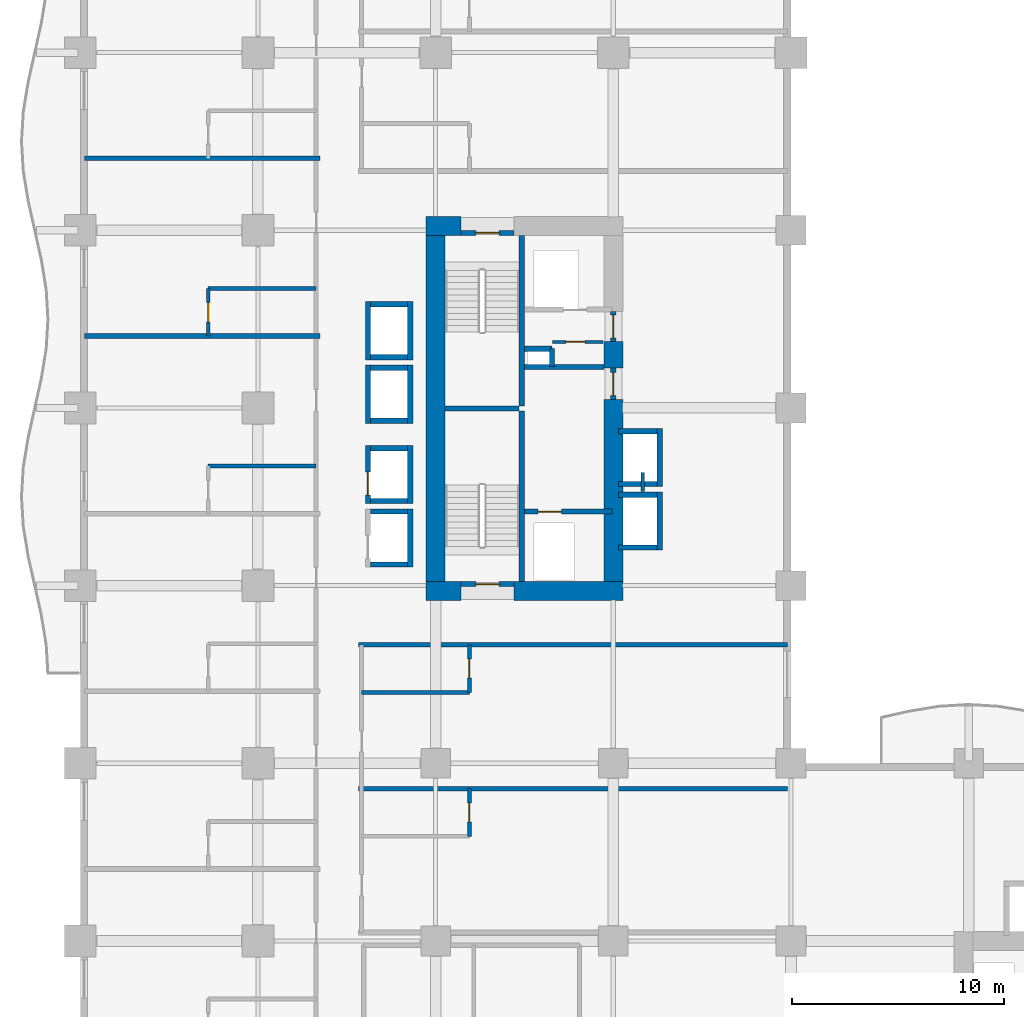
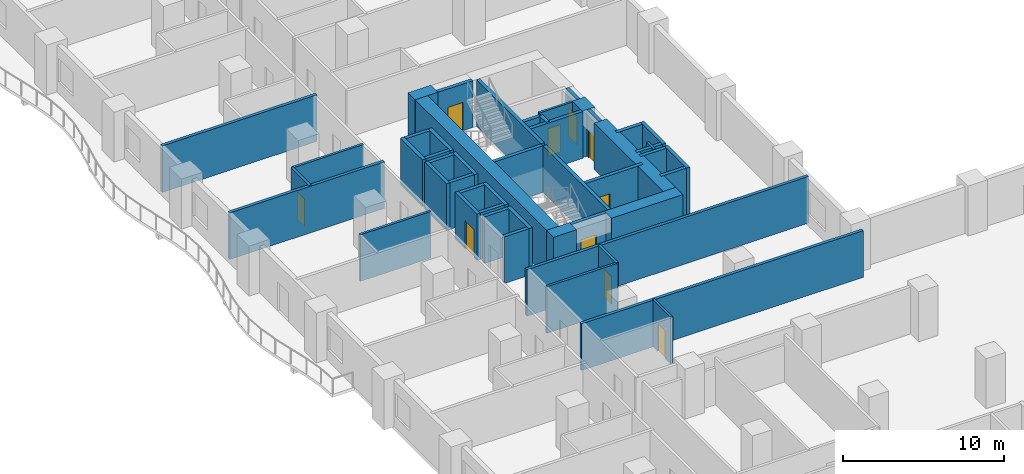
# One storey, part 14 of 23: 50 walls, 10 doors, 10 openings.
"""IFC4 building model written with IfcOpenShell, lengths in metres."""

from ifc_helpers import new_model, si_unit, direction, frame, frame_2d, origin, place, context, subcontext, project, spatial, rectangle, extrude, material, layer, layer_set, type_object, element, fill, save


model = new_model("IFC4")

# Units and contexts
model_context = context("Model", 3, precision=1e-05, world=origin(), true_north=direction((0.0, 1.0)))
body_context = subcontext(model_context, "Body", "Model", "MODEL_VIEW")
ifc_project = project(units=[si_unit("LENGTHUNIT", "METRE"), si_unit("AREAUNIT", "SQUARE_METRE"), si_unit("VOLUMEUNIT", "CUBIC_METRE"), si_unit("PLANEANGLEUNIT", "RADIAN"), si_unit("MASSUNIT", "GRAM", prefix="KILO")], contexts=[model_context])

# Site, building, storey
site_placement = place(None, origin())
site = spatial("IfcSite", under=ifc_project, at=site_placement, CompositionType="ELEMENT")
building_placement = place(site_placement, origin())
building = spatial("IfcBuilding", under=site, at=building_placement, Name="Koriwani Terraces Tower", CompositionType="ELEMENT")
storey_placement = place(building_placement, frame((0.0, 0.0, 32.0)))
storey = spatial("IfcBuildingStorey", under=building, at=storey_placement, Name="L06", CompositionType="ELEMENT", Elevation=32.0)

# Walls
ifc_material_1 = material(Name="Concrete C60/75", Category="concrete")
ifc_layer_1 = layer(ifc_material_1, 0.89990234375, Name="Concrete C60/75")
ifc_layer_set_1 = layer_set([ifc_layer_1], Name="Concrete C60/75")
wall_type_1 = type_object("IfcWallType", Name="WALL_CORE_RC_900", PredefinedType="SHEAR", material=ifc_layer_set_1)
wall_1_placement = place(storey_placement, frame((16.35009765625, 41.75, 0.0), z_axis=(0.0, 0.0, 1.0), x_axis=(1.0, 0.0, 0.0)))
element("IfcWall", 1, at=wall_1_placement, inside=storey, type_object=wall_type_1, Name="L06 West Split Core Shear Wall S1", PredefinedType="SHEAR", context=body_context, shape_type="SweptSolid", body=[
    extrude(rectangle(XDim=1.64990234375, YDim=0.89990234375, at=frame_2d((0.824951171875, 0.0))), origin(), (0.0, 0.0, 1.0), 3.550048828125),
])
wall_2_placement = place(storey_placement, frame((20.5, 41.75, 0.0), z_axis=(0.0, 0.0, 1.0), x_axis=(1.0, 0.0, 0.0)))
element("IfcWall", 2, at=wall_2_placement, inside=storey, type_object=wall_type_1, Name="L06 West Split Core Shear Wall S2", PredefinedType="SHEAR", context=body_context, shape_type="SweptSolid", body=[
    extrude(rectangle(XDim=5.14990234375, YDim=0.89990234375, at=frame_2d((2.574951171875, 0.0))), origin(), (0.0, 0.0, 1.0), 3.550048828125),
])
wall_3_placement = place(storey_placement, frame((16.35009765625, 59.0, 0.0), z_axis=(0.0, 0.0, 1.0), x_axis=(1.0, 0.0, 0.0)))
element("IfcWall", 3, at=wall_3_placement, inside=storey, type_object=wall_type_1, Name="L06 West Split Core Shear Wall N1", PredefinedType="SHEAR", context=body_context, shape_type="SweptSolid", body=[
    extrude(rectangle(XDim=1.64990234375, YDim=0.89990234375, at=frame_2d((0.824951171875, 0.0))), origin(), (0.0, 0.0, 1.0), 3.550048828125),
])
wall_4_placement = place(storey_placement, frame((16.800048828125, 42.199951171875, 0.0), z_axis=(0.0, 0.0, 1.0), x_axis=(0.0, 1.0, 0.0)))
element("IfcWall", 4, at=wall_4_placement, inside=storey, type_object=wall_type_1, Name="L06 West Split Core Shear Wall W1", PredefinedType="SHEAR", context=body_context, shape_type="SweptSolid", body=[
    extrude(rectangle(XDim=16.35009765625, YDim=0.89990234375, at=frame_2d((8.175048828125, 0.0))), origin(), (0.0, 0.0, 1.0), 3.550048828125),
])
wall_5_placement = place(storey_placement, frame((25.199951171875, 42.199951171875, 0.0), z_axis=(0.0, 0.0, 1.0), x_axis=(0.0, 1.0, 0.0)))
element("IfcWall", 5, at=wall_5_placement, inside=storey, type_object=wall_type_1, Name="L06 West Split Core Shear Wall E1", PredefinedType="SHEAR", context=body_context, shape_type="SweptSolid", body=[
    extrude(rectangle(XDim=8.60009765625, YDim=0.89990234375, at=frame_2d((4.300048828125, 0.0))), origin(), (0.0, 0.0, 1.0), 3.550048828125),
])
wall_6_placement = place(storey_placement, frame((25.199951171875, 52.280029296875, 0.0), z_axis=(0.0, 0.0, 1.0), x_axis=(0.0, 1.0, 0.0)))
element("IfcWall", 6, at=wall_6_placement, inside=storey, type_object=wall_type_1, Name="L06 West Split Core Shear Wall E2", PredefinedType="SHEAR", context=body_context, shape_type="SweptSolid", body=[
    extrude(rectangle(XDim=1.27001953125, YDim=0.89990234375, at=frame_2d((0.635009765625, 0.0))), origin(), (0.0, 0.0, 1.0), 3.550048828125),
])
ifc_material_2 = material(Name="Autoclaved Cellular Concrete Blockwork", Category="masonry")
ifc_layer_2 = layer(ifc_material_2, 0.219970703125, Name="Autoclaved Cellular Concrete Blockwork")
ifc_layer_set_2 = layer_set([ifc_layer_2], Name="Autoclaved Cellular Concrete Blockwork")
wall_type_2 = type_object("IfcWallType", Name="WALL_DEMISING_220", PredefinedType="PARTITIONING", material=ifc_layer_set_2)
for number, where, z_axis, x_axis, name in (
    (7, (13.14990234375, 32.39990234375, 0.0), (0.0, 0.0, 1.0), (1.0, 0.0, 0.0), "L06 Interior Wall WDEM-L06-NWI-1"),
    (8, (13.14990234375, 39.199951171875, 0.0), (0.0, 0.0, 1.0), (1.0, 0.0, 0.0), "L06 Interior Wall WDEME-L06-NWI"),
):
    element("IfcWall", number, at=place(storey_placement, frame(where, z_axis=z_axis, x_axis=x_axis)), inside=storey, type_object=wall_type_2, Name=name, PredefinedType="PARTITIONING", context=body_context, shape_type="SweptSolid", body=[
        extrude(rectangle(XDim=20.280029296875, YDim=0.219970703125, at=frame_2d((10.14013671875, 0.0))), origin(), (0.0, 0.0, 1.0), 3.550048828125),
    ])
for number, where, z_axis, x_axis, name in (
    (9, (0.199951171875, 53.800048828125, 0.0), (0.0, 0.0, 1.0), (1.0, 0.0, 0.0), "L06 Interior Wall WDEM-L06-NW-6"),
    (10, (0.199951171875, 62.199951171875, 0.0), (0.0, 0.0, 1.0), (1.0, 0.0, 0.0), "L06 Interior Wall WDEM-L06-NW-7"),
):
    element("IfcWall", number, at=place(storey_placement, frame(where, z_axis=z_axis, x_axis=x_axis)), inside=storey, type_object=wall_type_2, Name=name, PredefinedType="PARTITIONING", context=body_context, shape_type="SweptSolid", body=[
        extrude(rectangle(XDim=11.130126953125, YDim=0.219970703125, at=frame_2d((5.56494140625, 0.0))), origin(), (0.0, 0.0, 1.0), 3.550048828125),
    ])

# Wall, opening, door
ifc_material_3 = material(Name="Fire-Rated Acoustic Gypsum Partition", Category="masonry")
ifc_layer_3 = layer(ifc_material_3, 0.179931640625, Name="Fire-Rated Acoustic Gypsum Partition")
ifc_layer_set_3 = layer_set([ifc_layer_3], Name="Fire-Rated Acoustic Gypsum Partition")
wall_type_3 = type_object("IfcWallType", Name="WALL_PLUMBING_180", PredefinedType="PLUMBINGWALL", material=ifc_layer_set_3)
wall_7_placement = place(storey_placement, frame((18.39990234375, 30.14990234375, 0.0), z_axis=(0.0, 0.0, 1.0), x_axis=(0.0, 1.0, 0.0)))
wall_7 = element("IfcWall", 11, at=wall_7_placement, inside=storey, type_object=wall_type_3, Name="L06 Interior Wall WBTH1-L06-NWI-0", PredefinedType="PLUMBINGWALL", context=body_context, shape_type="SweptSolid", body=[
    extrude(rectangle(XDim=2.25, YDim=0.179931640625, at=frame_2d((1.125, 0.0))), origin(), (0.0, 0.0, 1.0), 3.550048828125),
])
opening_1_placement = place(wall_7_placement, frame((0.675048828125, 0.0, 0.0)))
opening_1 = element("IfcOpeningElement", 12, at=opening_1_placement, cuts=wall_7, Name="Opening D-07", PredefinedType="OPENING", context=body_context, shape_type="SweptSolid", body=[
    extrude(rectangle(XDim=0.89990234375, YDim=2.10009765625, at=frame_2d((0.449951171875, 1.050048828125))), frame((0.0, 0.10009765625, 0.0), z_axis=(0.0, -1.0, 0.0), x_axis=(1.0, 0.0, 0.0)), (0.0, 0.0, 1.0), 0.199951171875),
])
ifc_material_4 = material(Name="Architectural Oak Fire Door", Category="wood")
door_type_1 = type_object("IfcDoorType", Name="DOOR_BATH_INT_900X2100", OperationType="NOTDEFINED", PredefinedType="DOOR", material=ifc_material_4)
door_1_placement = place(opening_1_placement, origin())
door_1 = element("IfcDoor", 13, at=door_1_placement, inside=storey, type_object=door_type_1, Name="En-Suite Bathroom 06NWI1 Door", OperationType="SINGLE_SWING_LEFT", OverallHeight=2.10009765625, OverallWidth=0.89990234375, PredefinedType="DOOR", context=body_context, shape_type="SweptSolid", body=[
    extrude(rectangle(XDim=0.89990234375, YDim=2.10009765625, at=frame_2d((0.449951171875, 1.050048828125))), frame((0.0, 0.02490234375, 0.0), z_axis=(0.0, -1.0, 0.0), x_axis=(1.0, 0.0, 0.0)), (0.0, 0.0, 1.0), 0.050048828125),
])
fill(opening_1, door_1)

wall_8_placement = place(storey_placement, frame((18.39990234375, 36.949951171875, 0.0), z_axis=(0.0, 0.0, 1.0), x_axis=(0.0, 1.0, 0.0)))
wall_8 = element("IfcWall", 14, at=wall_8_placement, inside=storey, type_object=wall_type_3, Name="L06 Interior Wall WBTH1-L06-NWI-1", PredefinedType="PLUMBINGWALL", context=body_context, shape_type="SweptSolid", body=[
    extrude(rectangle(XDim=2.25, YDim=0.179931640625, at=frame_2d((1.125, 0.0))), origin(), (0.0, 0.0, 1.0), 3.550048828125),
])
opening_2_placement = place(wall_8_placement, frame((0.675048828125, 0.0, 0.0)))
opening_2 = element("IfcOpeningElement", 15, at=opening_2_placement, cuts=wall_8, Name="Opening D-07", PredefinedType="OPENING", context=body_context, shape_type="SweptSolid", body=[
    extrude(rectangle(XDim=0.89990234375, YDim=2.10009765625, at=frame_2d((0.449951171875, 1.050048828125))), frame((0.0, 0.10009765625, 0.0), z_axis=(0.0, -1.0, 0.0), x_axis=(1.0, 0.0, 0.0)), (0.0, 0.0, 1.0), 0.199951171875),
])
door_2_placement = place(opening_2_placement, origin())
door_2 = element("IfcDoor", 16, at=door_2_placement, inside=storey, type_object=door_type_1, Name="En-Suite Bathroom 06NWI2 Door", OperationType="SINGLE_SWING_LEFT", OverallHeight=2.10009765625, OverallWidth=0.89990234375, PredefinedType="DOOR", context=body_context, shape_type="SweptSolid", body=[
    extrude(rectangle(XDim=0.89990234375, YDim=2.10009765625, at=frame_2d((0.449951171875, 1.050048828125))), frame((0.0, 0.02490234375, 0.0), z_axis=(0.0, -1.0, 0.0), x_axis=(1.0, 0.0, 0.0)), (0.0, 0.0, 1.0), 0.050048828125),
])
fill(opening_2, door_2)

# Walls
for number, where, z_axis, x_axis, name in (
    (17, (13.300048828125, 36.949951171875, 0.0), (0.0, 0.0, 1.0), (1.0, 0.0, 0.0), "L06 Interior Wall WBTH2-L06-NWI-1"),
    (18, (6.050048828125, 47.64990234375, 0.0), (0.0, 0.0, 1.0), (1.0, 0.0, 0.0), "L06 Interior Wall WBTH2-L06-NW-5"),
):
    element("IfcWall", number, at=place(storey_placement, frame(where, z_axis=z_axis, x_axis=x_axis)), inside=storey, type_object=wall_type_3, Name=name, PredefinedType="PLUMBINGWALL", context=body_context, shape_type="SweptSolid", body=[
        extrude(rectangle(XDim=5.099853515625, YDim=0.179931640625, at=frame_2d((2.5498046875, 0.0))), origin(), (0.0, 0.0, 1.0), 3.550048828125),
    ])

# Wall, opening, door
wall_9_placement = place(storey_placement, frame((6.050048828125, 53.800048828125, 0.0), z_axis=(0.0, 0.0, 1.0), x_axis=(0.0, 1.0, 0.0)))
wall_9 = element("IfcWall", 19, at=wall_9_placement, inside=storey, type_object=wall_type_3, Name="L06 Interior Wall WBTH1-L06-NW-6", PredefinedType="PLUMBINGWALL", context=body_context, shape_type="SweptSolid", body=[
    extrude(rectangle(XDim=2.25, YDim=0.179931640625, at=frame_2d((1.125, 0.0))), origin(), (0.0, 0.0, 1.0), 3.550048828125),
])
opening_3_placement = place(wall_9_placement, frame((0.675048828125, 0.0, 0.0)))
opening_3 = element("IfcOpeningElement", 20, at=opening_3_placement, cuts=wall_9, Name="Opening D-07", PredefinedType="OPENING", context=body_context, shape_type="SweptSolid", body=[
    extrude(rectangle(XDim=0.89990234375, YDim=2.10009765625, at=frame_2d((0.449951171875, 1.050048828125))), frame((0.0, 0.10009765625, 0.0), z_axis=(0.0, -1.0, 0.0), x_axis=(1.0, 0.0, 0.0)), (0.0, 0.0, 1.0), 0.199951171875),
])
door_3_placement = place(opening_3_placement, origin())
door_3 = element("IfcDoor", 21, at=door_3_placement, inside=storey, type_object=door_type_1, Name="En-Suite Bathroom 06NW7 Door", OperationType="SINGLE_SWING_LEFT", OverallHeight=2.10009765625, OverallWidth=0.89990234375, PredefinedType="DOOR", context=body_context, shape_type="SweptSolid", body=[
    extrude(rectangle(XDim=0.89990234375, YDim=2.10009765625, at=frame_2d((0.449951171875, 1.050048828125))), frame((0.0, 0.02490234375, 0.0), z_axis=(0.0, -1.0, 0.0), x_axis=(1.0, 0.0, 0.0)), (0.0, 0.0, 1.0), 0.050048828125),
])
fill(opening_3, door_3)

# Walls
wall_10_placement = place(storey_placement, frame((6.050048828125, 56.050048828125, 0.0), z_axis=(0.0, 0.0, 1.0), x_axis=(1.0, 0.0, 0.0)))
element("IfcWall", 22, at=wall_10_placement, inside=storey, type_object=wall_type_3, Name="L06 Interior Wall WBTH2-L06-NW-6", PredefinedType="PLUMBINGWALL", context=body_context, shape_type="SweptSolid", body=[
    extrude(rectangle(XDim=5.099853515625, YDim=0.179931640625, at=frame_2d((2.5498046875, 0.0))), origin(), (0.0, 0.0, 1.0), 3.550048828125),
])
ifc_material_5 = material(Name="Concrete C40/50", Category="concrete")
ifc_layer_4 = layer(ifc_material_5, 0.25, Name="Concrete C40/50")
ifc_layer_set_4 = layer_set([ifc_layer_4], Name="Concrete C40/50")
wall_type_4 = type_object("IfcWallType", Name="WALL_SHAFT_RATED_250", PredefinedType="SOLIDWALL", material=ifc_layer_set_4)
for number, where, z_axis, x_axis, name in (
    (23, (20.875, 42.199951171875, 0.0), (0.0, 0.0, 1.0), (0.0, 1.0, 0.0), "L06 West Split Core Web Wall MID1"),
    (24, (20.875, 50.5, 0.0), (0.0, 0.0, 1.0), (0.0, 1.0, 0.0), "L06 West Split Core Web Wall MID2"),
):
    element("IfcWall", number, at=place(storey_placement, frame(where, z_axis=z_axis, x_axis=x_axis)), inside=storey, type_object=wall_type_4, Name=name, PredefinedType="SOLIDWALL", context=body_context, shape_type="SweptSolid", body=[
        extrude(rectangle(XDim=8.050048828125, YDim=0.25, at=frame_2d((4.02490234375, 0.0))), origin(), (0.0, 0.0, 1.0), 3.550048828125),
    ])
wall_11_placement = place(storey_placement, frame((17.25, 50.375, 0.0), z_axis=(0.0, 0.0, 1.0), x_axis=(1.0, 0.0, 0.0)))
element("IfcWall", 25, at=wall_11_placement, inside=storey, type_object=wall_type_4, Name="L06 West Split Core Stair Dividing Wall", PredefinedType="SOLIDWALL", context=body_context, shape_type="SweptSolid", body=[
    extrude(rectangle(XDim=3.5, YDim=0.25, at=frame_2d((1.75, 0.0))), origin(), (0.0, 0.0, 1.0), 3.550048828125),
])

# Wall, opening, door
wall_12_placement = place(storey_placement, frame((18.0, 42.074951171875, 0.0), z_axis=(0.0, 0.0, 1.0), x_axis=(1.0, 0.0, 0.0)))
wall_12 = element("IfcWall", 26, at=wall_12_placement, inside=storey, type_object=wall_type_4, Name="L06 Interior Wall WIN-CW-L06-STS", PredefinedType="SOLIDWALL", context=body_context, shape_type="SweptSolid", body=[
    extrude(rectangle(XDim=2.5, YDim=0.25, at=frame_2d((1.25, 0.0))), origin(), (0.0, 0.0, 1.0), 3.550048828125),
])
opening_4_placement = place(wall_12_placement, frame((0.699951171875, 0.0, 0.0)))
opening_4 = element("IfcOpeningElement", 27, at=opening_4_placement, cuts=wall_12, Name="Opening D-03", PredefinedType="OPENING", context=body_context, shape_type="SweptSolid", body=[
    extrude(rectangle(XDim=1.10009765625, YDim=2.14990234375, at=frame_2d((0.550048828125, 1.074951171875))), frame((0.0, 0.135009765625, 0.0), z_axis=(0.0, -1.0, 0.0), x_axis=(1.0, 0.0, 0.0)), (0.0, 0.0, 1.0), 0.27001953125),
])
ifc_material_6 = material(Name="Steel ASTM A572 Grade 50", Category="steel")
door_type_2 = type_object("IfcDoorType", Name="DOOR_STAIR_FIRE_1100X2150", OperationType="NOTDEFINED", PredefinedType="DOOR", material=ifc_material_6)
door_4_placement = place(opening_4_placement, origin())
door_4 = element("IfcDoor", 28, at=door_4_placement, inside=storey, type_object=door_type_2, Name="L06 Exit Stair ST-W1 Door", OperationType="SINGLE_SWING_RIGHT", OverallHeight=2.14990234375, OverallWidth=1.10009765625, PredefinedType="DOOR", context=body_context, shape_type="SweptSolid", body=[
    extrude(rectangle(XDim=1.10009765625, YDim=2.14990234375, at=frame_2d((0.550048828125, 1.074951171875))), frame((0.0, 0.02490234375, 0.0), z_axis=(0.0, -1.0, 0.0), x_axis=(1.0, 0.0, 0.0)), (0.0, 0.0, 1.0), 0.050048828125),
])
fill(opening_4, door_4)

wall_13_placement = place(storey_placement, frame((18.0, 58.675048828125, 0.0), z_axis=(0.0, 0.0, 1.0), x_axis=(1.0, 0.0, 0.0)))
wall_13 = element("IfcWall", 29, at=wall_13_placement, inside=storey, type_object=wall_type_4, Name="L06 Interior Wall WIN-CW-L06-STN", PredefinedType="SOLIDWALL", context=body_context, shape_type="SweptSolid", body=[
    extrude(rectangle(XDim=2.5, YDim=0.25, at=frame_2d((1.25, 0.0))), origin(), (0.0, 0.0, 1.0), 3.550048828125),
])
opening_5_placement = place(wall_13_placement, frame((0.699951171875, 0.0, 0.0)))
opening_5 = element("IfcOpeningElement", 30, at=opening_5_placement, cuts=wall_13, Name="Opening D-03", PredefinedType="OPENING", context=body_context, shape_type="SweptSolid", body=[
    extrude(rectangle(XDim=1.10009765625, YDim=2.14990234375, at=frame_2d((0.550048828125, 1.074951171875))), frame((0.0, 0.135009765625, 0.0), z_axis=(0.0, -1.0, 0.0), x_axis=(1.0, 0.0, 0.0)), (0.0, 0.0, 1.0), 0.27001953125),
])
door_5_placement = place(opening_5_placement, origin())
door_5 = element("IfcDoor", 31, at=door_5_placement, inside=storey, type_object=door_type_2, Name="L06 Exit Stair ST-W2 Door", OperationType="SINGLE_SWING_LEFT", OverallHeight=2.14990234375, OverallWidth=1.10009765625, PredefinedType="DOOR", context=body_context, shape_type="SweptSolid", body=[
    extrude(rectangle(XDim=1.10009765625, YDim=2.14990234375, at=frame_2d((0.550048828125, 1.074951171875))), frame((0.0, 0.02490234375, 0.0), z_axis=(0.0, -1.0, 0.0), x_axis=(1.0, 0.0, 0.0)), (0.0, 0.0, 1.0), 0.050048828125),
])
fill(opening_5, door_5)

wall_14_placement = place(storey_placement, frame((21.0, 45.5, 0.0), z_axis=(0.0, 0.0, 1.0), x_axis=(1.0, 0.0, 0.0)))
wall_14 = element("IfcWall", 32, at=wall_14_placement, inside=storey, type_object=wall_type_4, Name="L06 Interior Wall WIN-CW-L06-FE", PredefinedType="SOLIDWALL", context=body_context, shape_type="SweptSolid", body=[
    extrude(rectangle(XDim=4.14990234375, YDim=0.25, at=frame_2d((2.074951171875, 0.0))), origin(), (0.0, 0.0, 1.0), 3.550048828125),
])
opening_6_placement = place(wall_14_placement, frame((0.64990234375, 0.0, 0.0)))
opening_6 = element("IfcOpeningElement", 33, at=opening_6_placement, cuts=wall_14, Name="Opening LD-01", PredefinedType="OPENING", context=body_context, shape_type="SweptSolid", body=[
    extrude(rectangle(XDim=1.10009765625, YDim=2.14990234375, at=frame_2d((0.550048828125, 1.074951171875))), frame((0.0, 0.135009765625, 0.0), z_axis=(0.0, -1.0, 0.0), x_axis=(1.0, 0.0, 0.0)), (0.0, 0.0, 1.0), 0.27001953125),
])
door_type_3 = type_object("IfcDoorType", Name="DOOR_LIFT_LANDING_1100X2200", OperationType="NOTDEFINED", PredefinedType="DOOR", material=ifc_material_6)
door_6_placement = place(opening_6_placement, origin())
door_6 = element("IfcDoor", 34, at=door_6_placement, inside=storey, type_object=door_type_3, Name="L06 Firefighting Lift FE-01 Landing Door", OperationType="SLIDING_TO_LEFT", OverallHeight=2.14990234375, OverallWidth=1.10009765625, PredefinedType="DOOR", context=body_context, shape_type="SweptSolid", body=[
    extrude(rectangle(XDim=1.10009765625, YDim=2.14990234375, at=frame_2d((0.550048828125, 1.074951171875))), frame((0.0, 0.02490234375, 0.0), z_axis=(0.0, -1.0, 0.0), x_axis=(1.0, 0.0, 0.0)), (0.0, 0.0, 1.0), 0.050048828125),
])
fill(opening_6, door_6)

wall_15_placement = place(storey_placement, frame((25.199951171875, 50.800048828125, 0.0), z_axis=(0.0, 0.0, 1.0), x_axis=(0.0, 1.0, 0.0)))
wall_15 = element("IfcWall", 35, at=wall_15_placement, inside=storey, type_object=wall_type_4, Name="L06 Interior Wall WIN-CW-L06-EP", PredefinedType="SOLIDWALL", context=body_context, shape_type="SweptSolid", body=[
    extrude(rectangle(XDim=1.47998046875, YDim=0.25, at=frame_2d((0.739990234375, 0.0))), origin(), (0.0, 0.0, 1.0), 3.550048828125),
])
opening_7_placement = place(wall_15_placement, frame((0.179931640625, 0.0, 0.0)))
opening_7 = element("IfcOpeningElement", 36, at=opening_7_placement, cuts=wall_15, Name="Opening D-03", PredefinedType="OPENING", context=body_context, shape_type="SweptSolid", body=[
    extrude(rectangle(XDim=1.10009765625, YDim=2.14990234375, at=frame_2d((0.550048828125, 1.074951171875))), frame((0.0, 0.135009765625, 0.0), z_axis=(0.0, -1.0, 0.0), x_axis=(1.0, 0.0, 0.0)), (0.0, 0.0, 1.0), 0.27001953125),
])
door_7_placement = place(opening_7_placement, origin())
door_7 = element("IfcDoor", 37, at=door_7_placement, inside=storey, type_object=door_type_2, Name="L06 West Firefighting Lobby Door", OperationType="SINGLE_SWING_RIGHT", OverallHeight=2.14990234375, OverallWidth=1.10009765625, PredefinedType="DOOR", context=body_context, shape_type="SweptSolid", body=[
    extrude(rectangle(XDim=1.10009765625, YDim=2.14990234375, at=frame_2d((0.550048828125, 1.074951171875))), frame((0.0, 0.02490234375, 0.0), z_axis=(0.0, -1.0, 0.0), x_axis=(1.0, 0.0, 0.0)), (0.0, 0.0, 1.0), 0.050048828125),
])
fill(opening_7, door_7)

# Wall
wall_16_placement = place(storey_placement, frame((21.0, 52.340087890625, 0.0), z_axis=(0.0, 0.0, 1.0), x_axis=(1.0, 0.0, 0.0)))
element("IfcWall", 38, at=wall_16_placement, inside=storey, type_object=wall_type_4, Name="L06 Interior Wall WIN-CW-L06-FFN", PredefinedType="SOLIDWALL", context=body_context, shape_type="SweptSolid", body=[
    extrude(rectangle(XDim=3.75, YDim=0.25, at=frame_2d((1.875, 0.0))), origin(), (0.0, 0.0, 1.0), 3.550048828125),
])

# Wall, opening, door
wall_17_placement = place(storey_placement, frame((25.199951171875, 53.550048828125, 0.0), z_axis=(0.0, 0.0, 1.0), x_axis=(0.0, 1.0, 0.0)))
wall_17 = element("IfcWall", 39, at=wall_17_placement, inside=storey, type_object=wall_type_4, Name="L06 Interior Wall WIN-CW-L06-EP2", PredefinedType="SOLIDWALL", context=body_context, shape_type="SweptSolid", body=[
    extrude(rectangle(XDim=1.39990234375, YDim=0.25, at=frame_2d((0.699951171875, 0.0))), origin(), (0.0, 0.0, 1.0), 3.550048828125),
])
opening_8_placement = place(wall_17_placement, frame((0.14990234375, 0.0, 0.0)))
opening_8 = element("IfcOpeningElement", 40, at=opening_8_placement, cuts=wall_17, Name="Opening D-03", PredefinedType="OPENING", context=body_context, shape_type="SweptSolid", body=[
    extrude(rectangle(XDim=1.10009765625, YDim=2.14990234375, at=frame_2d((0.550048828125, 1.074951171875))), frame((0.0, 0.135009765625, 0.0), z_axis=(0.0, -1.0, 0.0), x_axis=(1.0, 0.0, 0.0)), (0.0, 0.0, 1.0), 0.27001953125),
])
door_8_placement = place(opening_8_placement, origin())
door_8 = element("IfcDoor", 41, at=door_8_placement, inside=storey, type_object=door_type_2, Name="L06 West Goods Lift Lobby Door", OperationType="SINGLE_SWING_LEFT", OverallHeight=2.14990234375, OverallWidth=1.10009765625, PredefinedType="DOOR", context=body_context, shape_type="SweptSolid", body=[
    extrude(rectangle(XDim=1.10009765625, YDim=2.14990234375, at=frame_2d((0.550048828125, 1.074951171875))), frame((0.0, 0.02490234375, 0.0), z_axis=(0.0, -1.0, 0.0), x_axis=(1.0, 0.0, 0.0)), (0.0, 0.0, 1.0), 0.050048828125),
])
fill(opening_8, door_8)

# Walls
wall_18_placement = place(storey_placement, frame((21.0, 53.199951171875, 0.0), z_axis=(0.0, 0.0, 1.0), x_axis=(1.0, 0.0, 0.0)))
element("IfcWall", 42, at=wall_18_placement, inside=storey, type_object=wall_type_4, Name="L06 Interior Wall WIN-CW-L06-RS1", PredefinedType="SOLIDWALL", context=body_context, shape_type="SweptSolid", body=[
    extrude(rectangle(XDim=1.300048828125, YDim=0.25, at=frame_2d((0.64990234375, 0.0))), origin(), (0.0, 0.0, 1.0), 3.550048828125),
])
wall_19_placement = place(storey_placement, frame((22.300048828125, 52.360107421875, 0.0), z_axis=(0.0, 0.0, 1.0), x_axis=(0.0, 1.0, 0.0)))
element("IfcWall", 43, at=wall_19_placement, inside=storey, type_object=wall_type_4, Name="L06 Interior Wall WIN-CW-L06-RS2", PredefinedType="SOLIDWALL", context=body_context, shape_type="SweptSolid", body=[
    extrude(rectangle(XDim=0.83984375, YDim=0.25, at=frame_2d((0.419921875, 0.0))), origin(), (0.0, 0.0, 1.0), 3.550048828125),
])
wall_20_placement = place(storey_placement, frame((15.60009765625, 42.875, 0.0), z_axis=(0.0, 0.0, 1.0), x_axis=(0.0, 1.0, 0.0)))
element("IfcWall", 44, at=wall_20_placement, inside=storey, type_object=wall_type_4, Name="L06 Interior Wall WIN-LF-PE-L1-L06-B", PredefinedType="SOLIDWALL", context=body_context, shape_type="SweptSolid", body=[
    extrude(rectangle(XDim=2.75, YDim=0.25, at=frame_2d((1.375, 0.0))), origin(), (0.0, 0.0, 1.0), 3.550048828125),
])
for number, where, z_axis, x_axis, name in (
    (45, (13.72509765625, 43.0, 0.0), (0.0, 0.0, 1.0), (1.0, 0.0, 0.0), "L06 Interior Wall WIN-LF-PE-L1-L06-S"),
    (46, (13.72509765625, 45.5, 0.0), (0.0, 0.0, 1.0), (1.0, 0.0, 0.0), "L06 Interior Wall WIN-LF-PE-L1-L06-N"),
):
    element("IfcWall", number, at=place(storey_placement, frame(where, z_axis=z_axis, x_axis=x_axis)), inside=storey, type_object=wall_type_4, Name=name, PredefinedType="SOLIDWALL", context=body_context, shape_type="SweptSolid", body=[
        extrude(rectangle(XDim=1.75, YDim=0.25, at=frame_2d((0.875, 0.0))), origin(), (0.0, 0.0, 1.0), 3.550048828125),
    ])

# Wall, opening, door
wall_21_placement = place(storey_placement, frame((13.60009765625, 45.875, 0.0), z_axis=(0.0, 0.0, 1.0), x_axis=(0.0, 1.0, 0.0)))
wall_21 = element("IfcWall", 47, at=wall_21_placement, inside=storey, type_object=wall_type_4, Name="L06 Interior Wall WIN-LF-PE-L2-L06-F", PredefinedType="SOLIDWALL", context=body_context, shape_type="SweptSolid", body=[
    extrude(rectangle(XDim=2.75, YDim=0.25, at=frame_2d((1.375, 0.0))), origin(), (0.0, 0.0, 1.0), 3.550048828125),
])
opening_9_placement = place(wall_21_placement, frame((0.39990234375, 0.0, 0.0)))
opening_9 = element("IfcOpeningElement", 48, at=opening_9_placement, cuts=wall_21, Name="Opening LD-01", PredefinedType="OPENING", context=body_context, shape_type="SweptSolid", body=[
    extrude(rectangle(XDim=1.10009765625, YDim=2.14990234375, at=frame_2d((0.550048828125, 1.074951171875))), frame((0.0, 0.135009765625, 0.0), z_axis=(0.0, -1.0, 0.0), x_axis=(1.0, 0.0, 0.0)), (0.0, 0.0, 1.0), 0.27001953125),
])
door_9_placement = place(opening_9_placement, origin())
door_9 = element("IfcDoor", 49, at=door_9_placement, inside=storey, type_object=door_type_3, Name="L06 Passenger Lift PE-L2 Landing Door", OperationType="SLIDING_TO_LEFT", OverallHeight=2.14990234375, OverallWidth=1.10009765625, PredefinedType="DOOR", context=body_context, shape_type="SweptSolid", body=[
    extrude(rectangle(XDim=1.10009765625, YDim=2.14990234375, at=frame_2d((0.550048828125, 1.074951171875))), frame((0.0, 0.02490234375, 0.0), z_axis=(0.0, -1.0, 0.0), x_axis=(1.0, 0.0, 0.0)), (0.0, 0.0, 1.0), 0.050048828125),
])
fill(opening_9, door_9)

# Walls
wall_22_placement = place(storey_placement, frame((15.60009765625, 45.875, 0.0), z_axis=(0.0, 0.0, 1.0), x_axis=(0.0, 1.0, 0.0)))
element("IfcWall", 50, at=wall_22_placement, inside=storey, type_object=wall_type_4, Name="L06 Interior Wall WIN-LF-PE-L2-L06-B", PredefinedType="SOLIDWALL", context=body_context, shape_type="SweptSolid", body=[
    extrude(rectangle(XDim=2.75, YDim=0.25, at=frame_2d((1.375, 0.0))), origin(), (0.0, 0.0, 1.0), 3.550048828125),
])
for number, where, z_axis, x_axis, name in (
    (51, (13.72509765625, 46.0, 0.0), (0.0, 0.0, 1.0), (1.0, 0.0, 0.0), "L06 Interior Wall WIN-LF-PE-L2-L06-S"),
    (52, (13.72509765625, 48.5, 0.0), (0.0, 0.0, 1.0), (1.0, 0.0, 0.0), "L06 Interior Wall WIN-LF-PE-L2-L06-N"),
):
    element("IfcWall", number, at=place(storey_placement, frame(where, z_axis=z_axis, x_axis=x_axis)), inside=storey, type_object=wall_type_4, Name=name, PredefinedType="SOLIDWALL", context=body_context, shape_type="SweptSolid", body=[
        extrude(rectangle(XDim=1.75, YDim=0.25, at=frame_2d((0.875, 0.0))), origin(), (0.0, 0.0, 1.0), 3.550048828125),
    ])
for number, where, z_axis, x_axis, name in (
    (53, (13.60009765625, 49.675048828125, 0.0), (0.0, 0.0, 1.0), (0.0, 1.0, 0.0), "L06 Interior Wall WIN-LF-PE-M1-L06-F"),
    (54, (15.60009765625, 49.675048828125, 0.0), (0.0, 0.0, 1.0), (0.0, 1.0, 0.0), "L06 Interior Wall WIN-LF-PE-M1-L06-B"),
):
    element("IfcWall", number, at=place(storey_placement, frame(where, z_axis=z_axis, x_axis=x_axis)), inside=storey, type_object=wall_type_4, Name=name, PredefinedType="SOLIDWALL", context=body_context, shape_type="SweptSolid", body=[
        extrude(rectangle(XDim=2.75, YDim=0.25, at=frame_2d((1.375, 0.0))), origin(), (0.0, 0.0, 1.0), 3.550048828125),
    ])
for number, where, z_axis, x_axis, name in (
    (55, (13.72509765625, 49.800048828125, 0.0), (0.0, 0.0, 1.0), (1.0, 0.0, 0.0), "L06 Interior Wall WIN-LF-PE-M1-L06-S"),
    (56, (13.72509765625, 52.300048828125, 0.0), (0.0, 0.0, 1.0), (1.0, 0.0, 0.0), "L06 Interior Wall WIN-LF-PE-M1-L06-N"),
):
    element("IfcWall", number, at=place(storey_placement, frame(where, z_axis=z_axis, x_axis=x_axis)), inside=storey, type_object=wall_type_4, Name=name, PredefinedType="SOLIDWALL", context=body_context, shape_type="SweptSolid", body=[
        extrude(rectangle(XDim=1.75, YDim=0.25, at=frame_2d((0.875, 0.0))), origin(), (0.0, 0.0, 1.0), 3.550048828125),
    ])
for number, where, z_axis, x_axis, name in (
    (57, (13.60009765625, 52.675048828125, 0.0), (0.0, 0.0, 1.0), (0.0, 1.0, 0.0), "L06 Interior Wall WIN-LF-PE-M2-L06-F"),
    (58, (15.60009765625, 52.675048828125, 0.0), (0.0, 0.0, 1.0), (0.0, 1.0, 0.0), "L06 Interior Wall WIN-LF-PE-M2-L06-B"),
):
    element("IfcWall", number, at=place(storey_placement, frame(where, z_axis=z_axis, x_axis=x_axis)), inside=storey, type_object=wall_type_4, Name=name, PredefinedType="SOLIDWALL", context=body_context, shape_type="SweptSolid", body=[
        extrude(rectangle(XDim=2.75, YDim=0.25, at=frame_2d((1.375, 0.0))), origin(), (0.0, 0.0, 1.0), 3.550048828125),
    ])
for number, where, z_axis, x_axis, name in (
    (59, (13.72509765625, 52.800048828125, 0.0), (0.0, 0.0, 1.0), (1.0, 0.0, 0.0), "L06 Interior Wall WIN-LF-PE-M2-L06-S"),
    (60, (13.72509765625, 55.300048828125, 0.0), (0.0, 0.0, 1.0), (1.0, 0.0, 0.0), "L06 Interior Wall WIN-LF-PE-M2-L06-N"),
):
    element("IfcWall", number, at=place(storey_placement, frame(where, z_axis=z_axis, x_axis=x_axis)), inside=storey, type_object=wall_type_4, Name=name, PredefinedType="SOLIDWALL", context=body_context, shape_type="SweptSolid", body=[
        extrude(rectangle(XDim=1.75, YDim=0.25, at=frame_2d((0.875, 0.0))), origin(), (0.0, 0.0, 1.0), 3.550048828125),
    ])
wall_23_placement = place(storey_placement, frame((27.39990234375, 43.675048828125, 0.0), z_axis=(0.0, 0.0, 1.0), x_axis=(0.0, 1.0, 0.0)))
element("IfcWall", 61, at=wall_23_placement, inside=storey, type_object=wall_type_4, Name="L06 Interior Wall WIN-LF-PE-H1-L06-F", PredefinedType="SOLIDWALL", context=body_context, shape_type="SweptSolid", body=[
    extrude(rectangle(XDim=2.75, YDim=0.25, at=frame_2d((1.375, 0.0))), origin(), (0.0, 0.0, 1.0), 3.550048828125),
])
for number, where, z_axis, x_axis, name in (
    (62, (25.449951171875, 43.800048828125, 0.0), (0.0, 0.0, 1.0), (1.0, 0.0, 0.0), "L06 Interior Wall WIN-LF-PE-H1-L06-S"),
    (63, (25.449951171875, 46.300048828125, 0.0), (0.0, 0.0, 1.0), (1.0, 0.0, 0.0), "L06 Interior Wall WIN-LF-PE-H1-L06-N"),
):
    element("IfcWall", number, at=place(storey_placement, frame(where, z_axis=z_axis, x_axis=x_axis)), inside=storey, type_object=wall_type_4, Name=name, PredefinedType="SOLIDWALL", context=body_context, shape_type="SweptSolid", body=[
        extrude(rectangle(XDim=1.824951171875, YDim=0.25, at=frame_2d((0.91259765625, 0.0))), origin(), (0.0, 0.0, 1.0), 3.550048828125),
    ])
wall_24_placement = place(storey_placement, frame((27.39990234375, 46.675048828125, 0.0), z_axis=(0.0, 0.0, 1.0), x_axis=(0.0, 1.0, 0.0)))
element("IfcWall", 64, at=wall_24_placement, inside=storey, type_object=wall_type_4, Name="L06 Interior Wall WIN-LF-PE-H2-L06-F", PredefinedType="SOLIDWALL", context=body_context, shape_type="SweptSolid", body=[
    extrude(rectangle(XDim=2.75, YDim=0.25, at=frame_2d((1.375, 0.0))), origin(), (0.0, 0.0, 1.0), 3.550048828125),
])
for number, where, z_axis, x_axis, name in (
    (65, (25.449951171875, 46.800048828125, 0.0), (0.0, 0.0, 1.0), (1.0, 0.0, 0.0), "L06 Interior Wall WIN-LF-PE-H2-L06-S"),
    (66, (25.449951171875, 49.300048828125, 0.0), (0.0, 0.0, 1.0), (1.0, 0.0, 0.0), "L06 Interior Wall WIN-LF-PE-H2-L06-N"),
):
    element("IfcWall", number, at=place(storey_placement, frame(where, z_axis=z_axis, x_axis=x_axis)), inside=storey, type_object=wall_type_4, Name=name, PredefinedType="SOLIDWALL", context=body_context, shape_type="SweptSolid", body=[
        extrude(rectangle(XDim=1.824951171875, YDim=0.25, at=frame_2d((0.91259765625, 0.0))), origin(), (0.0, 0.0, 1.0), 3.550048828125),
    ])

# Wall, opening, door
ifc_layer_5 = layer(ifc_material_3, 0.159912109375, Name="Fire-Rated Acoustic Gypsum Partition")
ifc_layer_set_5 = layer_set([ifc_layer_5], Name="Fire-Rated Acoustic Gypsum Partition")
wall_type_5 = type_object("IfcWallType", Name="WALL_SUITE_160", PredefinedType="PARTITIONING", material=ifc_layer_set_5)
wall_25_placement = place(storey_placement, frame((22.320068359375, 53.52001953125, 0.0), z_axis=(0.0, 0.0, 1.0), x_axis=(1.0, 0.0, 0.0)))
wall_25 = element("IfcWall", 67, at=wall_25_placement, inside=storey, type_object=wall_type_5, Name="L06 Interior Wall WIN-CW-L06-SV0", PredefinedType="PARTITIONING", context=body_context, shape_type="SweptSolid", body=[
    extrude(rectangle(XDim=2.39990234375, YDim=0.159912109375, at=frame_2d((1.199951171875, 0.0))), origin(), (0.0, 0.0, 1.0), 3.550048828125),
])
opening_10_placement = place(wall_25_placement, frame((0.64990234375, 0.0, 0.0)))
opening_10 = element("IfcOpeningElement", 68, at=opening_10_placement, cuts=wall_25, Name="Opening D-07", PredefinedType="OPENING", context=body_context, shape_type="SweptSolid", body=[
    extrude(rectangle(XDim=0.89990234375, YDim=2.10009765625, at=frame_2d((0.449951171875, 1.050048828125))), frame((0.0, 0.08984375, 0.0), z_axis=(0.0, -1.0, 0.0), x_axis=(1.0, 0.0, 0.0)), (0.0, 0.0, 1.0), 0.179931640625),
])
door_10_placement = place(opening_10_placement, origin())
door_10 = element("IfcDoor", 69, at=door_10_placement, inside=storey, type_object=door_type_1, Name="L06 West Electrical Switch Room Door", OperationType="SINGLE_SWING_RIGHT", OverallHeight=2.10009765625, OverallWidth=0.89990234375, PredefinedType="DOOR", context=body_context, shape_type="SweptSolid", body=[
    extrude(rectangle(XDim=0.89990234375, YDim=2.10009765625, at=frame_2d((0.449951171875, 1.050048828125))), frame((0.0, 0.02490234375, 0.0), z_axis=(0.0, -1.0, 0.0), x_axis=(1.0, 0.0, 0.0)), (0.0, 0.0, 1.0), 0.050048828125),
])
fill(opening_10, door_10)

# Wall
wall_26_placement = place(storey_placement, frame((26.60009765625, 46.4599609375, 0.0), z_axis=(0.0, 0.0, 1.0), x_axis=(0.0, 1.0, 0.0)))
element("IfcWall", 70, at=wall_26_placement, inside=storey, type_object=wall_type_5, Name="L06 Interior Wall WIN-LF-PEH12-MID-L06", PredefinedType="PARTITIONING", context=body_context, shape_type="SweptSolid", body=[
    extrude(rectangle(XDim=0.880126953125, YDim=0.159912109375, at=frame_2d((0.43994140625, 0.0))), origin(), (0.0, 0.0, 1.0), 3.550048828125),
])

save(model, "model.ifc")
